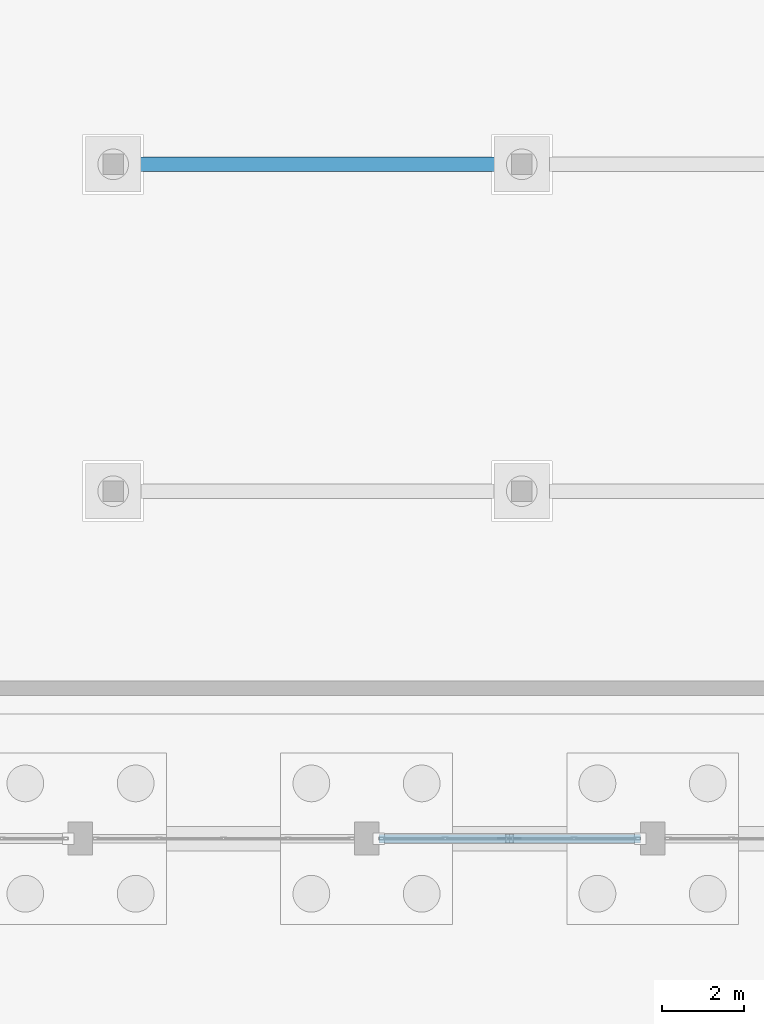
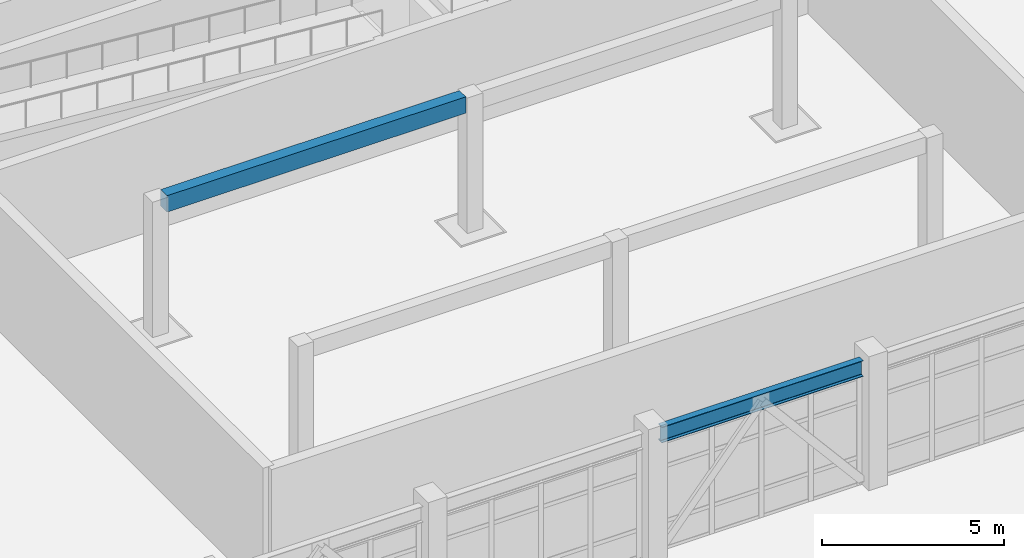
# One storey, part 25 of 154: 2 beams.
"""IFC4 building model written with IfcOpenShell, lengths in metres."""

import ifcopenshell
import ifcopenshell.guid

model = None  # the IFC model being written
_history = None  # IfcOwnerHistory: only IFC2X3 demands one
_inside = {}  # id of a spatial element -> (the spatial element, [elements in it])
_under = {}  # id of a project, library or spatial element -> (it, [spatial elements below it])
_declared = {}  # id of a project -> (the project, [libraries it declares])
_typed = {}  # id of a type object -> (the type object, [elements of that type])
_made_of = {}  # id of a material, layer set ... -> (it, [elements and type objects made of it])


def new_model(schema):
    """Start an empty IFC model of exactly this schema.

    Asked for "IFC4X3", IfcOpenShell would pick the latest addendum, in which some entities
    have other attributes; the version numbers below select the first issue.
    IFC2X3 requires an IfcOwnerHistory on every rooted entity: one is made here for all.
    """
    global model, _history
    if schema == "IFC4X3":
        model = ifcopenshell.file(schema_version=(4, 3, 0, 0))
    else:
        model = ifcopenshell.file(schema=schema)
    _inside.clear()
    _under.clear()
    _declared.clear()
    _typed.clear()
    _made_of.clear()
    _history = None
    if model.schema == "IFC2X3":
        org = make("IfcOrganization", Name="unknown")
        user = make(
            "IfcPersonAndOrganization",
            ThePerson=make("IfcPerson", FamilyName="unknown"),
            TheOrganization=org,
        )
        app = make(
            "IfcApplication",
            ApplicationDeveloper=org,
            Version="unknown",
            ApplicationFullName="unknown",
            ApplicationIdentifier="unknown",
        )
        _history = make(
            "IfcOwnerHistory",
            OwningUser=user,
            OwningApplication=app,
            ChangeAction="ADDED",
            CreationDate=0,
        )
    return model


def make(cls, **values):
    """One entity of the class cls with the attributes given. An attribute that is None is left unset."""
    return model.create_entity(
        cls, **{name: value for name, value in values.items() if value is not None}
    )


def rooted(cls, **values):
    """An entity with a GlobalId (a new one), such as an element, a storey or a relation."""
    return make(cls, GlobalId=ifcopenshell.guid.new(), OwnerHistory=_history, **values)


def si_unit(unit_type, name, prefix=None):
    """IfcSIUnit, for example si_unit("LENGTHUNIT", "METRE", prefix="MILLI")."""
    return make("IfcSIUnit", UnitType=unit_type, Prefix=prefix, Name=name)


def assignment(units):
    """IfcUnitAssignment: the units of a project."""
    return None if units is None else make("IfcUnitAssignment", Units=units)


def point(xyz):
    """IfcCartesianPoint."""
    return None if xyz is None else make("IfcCartesianPoint", Coordinates=xyz)


def direction(xyz):
    """IfcDirection."""
    return None if xyz is None else make("IfcDirection", DirectionRatios=xyz)


def frame(location, z_axis=None, x_axis=None):
    """IfcAxis2Placement3D, a coordinate frame: its origin and axes. An axis left out is left unset."""
    return make(
        "IfcAxis2Placement3D",
        Location=point(location),
        Axis=direction(z_axis),
        RefDirection=direction(x_axis),
    )


def frame_2d(location, x_axis=None):
    """IfcAxis2Placement2D, a coordinate frame in the plane: its origin and x axis."""
    return make(
        "IfcAxis2Placement2D", Location=point(location), RefDirection=direction(x_axis)
    )


def origin():
    """The frame at (0, 0, 0) with its axes left unset."""
    return frame((0.0, 0.0, 0.0))


def origin_2d():
    """The frame at (0, 0) in the plane with its x axis left unset."""
    return frame_2d((0.0, 0.0))


def place(relative_to, where):
    """IfcLocalPlacement: puts the frame where relative to a parent placement (None: the world)."""
    return make(
        "IfcLocalPlacement", PlacementRelTo=relative_to, RelativePlacement=where
    )


def context(
    kind, dimensions, precision=None, world=None, true_north=None, identifier=None
):
    """IfcGeometricRepresentationContext, for example the 3D "Model" context."""
    return make(
        "IfcGeometricRepresentationContext",
        ContextIdentifier=identifier,
        ContextType=kind,
        CoordinateSpaceDimension=dimensions,
        Precision=precision,
        WorldCoordinateSystem=world,
        TrueNorth=true_north,
    )


def subcontext(parent, identifier, kind, view, scale=None):
    """IfcGeometricRepresentationSubContext, for example "Body" below "Model"."""
    return make(
        "IfcGeometricRepresentationSubContext",
        ContextIdentifier=identifier,
        ContextType=kind,
        ParentContext=parent,
        TargetScale=scale,
        TargetView=view,
    )


def project(units=None, contexts=None):
    """IfcProject with its units and contexts."""
    return rooted(
        "IfcProject",
        Name="project",
        RepresentationContexts=contexts,
        UnitsInContext=assignment(units),
    )


def spatial(cls, under=None, at=None, **own):
    """A site, building, storey or space (cls), placed at a placement, below another one or the project."""
    s = rooted(cls, ObjectPlacement=at, **own)
    if under is not None:
        _under.setdefault(under.id(), (under, []))[1].append(s)
    return s


def profile(cls, at=None, kind="AREA", **sizes):
    """A parametric profile (cls). Its sizes go by their IFC names, for example OverallWidth=200.0."""
    return make(cls, ProfileType=kind, Position=at, **sizes)


def rectangle(**sizes):
    """IfcRectangleProfileDef."""
    return profile("IfcRectangleProfileDef", **sizes)


def i_section(**sizes):
    """IfcIShapeProfileDef."""
    return profile("IfcIShapeProfileDef", **sizes)


def extrude(swept, where, along, depth):
    """IfcExtrudedAreaSolid: the profile swept, set in the frame where, extruded along a direction by depth."""
    return make(
        "IfcExtrudedAreaSolid",
        SweptArea=swept,
        Position=where,
        ExtrudedDirection=direction(along),
        Depth=depth,
    )


def shape(context_of_items, identifier, shape_type, items):
    """IfcShapeRepresentation: the items that make up one representation, for example the "Body"."""
    return make(
        "IfcShapeRepresentation",
        ContextOfItems=context_of_items,
        RepresentationIdentifier=identifier,
        RepresentationType=shape_type,
        Items=items,
    )


def material(Name=None, Category=None):
    """IfcMaterial."""
    return make("IfcMaterial", Name=Name, Category=Category)


def material_profile(
    of_material, cross_section, Name=None, Category=None, Priority=None
):
    """IfcMaterialProfile: a cross section and its material."""
    return make(
        "IfcMaterialProfile",
        Name=Name,
        Material=of_material,
        Profile=cross_section,
        Priority=Priority,
        Category=Category,
    )


def profile_set(profiles, Name=None, composite=None):
    """IfcMaterialProfileSet."""
    return make(
        "IfcMaterialProfileSet",
        Name=Name,
        MaterialProfiles=profiles,
        CompositeProfile=composite,
    )


def made_of(thing, what):
    """Note that an element or type object is made of a material, layer set ...; save() writes the relation."""
    if what is not None:
        _made_of.setdefault(what.id(), (what, []))[1].append(thing)
    return thing


def type_object(cls, material=None, **own):
    """A type object (cls), such as IfcWallType, which elements share."""
    return made_of(rooted(cls, **own), material)


def element(
    cls,
    number,
    at=None,
    inside=None,
    cuts=None,
    type_object=None,
    material=None,
    context=None,
    identifier="Body",
    shape_type=None,
    held_by="IfcProductDefinitionShape",
    body=None,
    shapes=None,
    **own,
):
    """One element of the class cls, such as IfcWall. Its Tag is "e" and its number.

    at: its placement. inside: the storey or other place that contains it. cuts: it is an
    opening in that element (IfcRelVoidsElement). A single representation is given by context,
    identifier, shape_type and body (its items); several are given by shapes. held_by: the class
    of the entity that holds the representations. save() writes the other relations.
    """
    e = rooted(cls, Tag="e%d" % number, ObjectPlacement=at, **own)
    if body is not None:
        shapes = [shape(context, identifier, shape_type, body)]
    if shapes is not None:
        e.Representation = make(held_by, Representations=shapes)
    if inside is not None:
        _inside.setdefault(inside.id(), (inside, []))[1].append(e)
    if cuts is not None:
        rooted(
            "IfcRelVoidsElement", RelatingBuildingElement=cuts, RelatedOpeningElement=e
        )
    if type_object is not None:
        _typed.setdefault(type_object.id(), (type_object, []))[1].append(e)
    return made_of(e, material)


def aggregate(whole, parts):
    """IfcRelAggregates: a whole, such as a stair, and the parts it consists of."""
    return rooted("IfcRelAggregates", RelatingObject=whole, RelatedObjects=parts)


def save(model, path):
    """Write the relations noted so far, then the file.

    IfcRelAggregates (storeys below a building ...), IfcRelContainedInSpatialStructure (elements
    in a storey), IfcRelDefinesByType, IfcRelAssociatesMaterial and IfcRelDeclares: one each for
    every whole, place, type object, material and project.
    """
    for whole, parts in _under.values():
        aggregate(whole, parts)
    for where, things in _inside.values():
        rooted(
            "IfcRelContainedInSpatialStructure",
            RelatedElements=things,
            RelatingStructure=where,
        )
    for kind, things in _typed.values():
        rooted("IfcRelDefinesByType", RelatedObjects=things, RelatingType=kind)
    for what, things in _made_of.values():
        rooted("IfcRelAssociatesMaterial", RelatedObjects=things, RelatingMaterial=what)
    for by, libraries in _declared.values():
        rooted("IfcRelDeclares", RelatingContext=by, RelatedDefinitions=libraries)
    model.write(path)


model = new_model("IFC4")

# Units and contexts
model_context = context("Model", 3, precision=1e-05, world=origin(), true_north=direction((0.0, 1.0)))
body_context = subcontext(model_context, "Body", "Model", "MODEL_VIEW")
ifc_project = project(units=[si_unit("LENGTHUNIT", "METRE"), si_unit("AREAUNIT", "SQUARE_METRE"), si_unit("VOLUMEUNIT", "CUBIC_METRE"), si_unit("PLANEANGLEUNIT", "RADIAN"), si_unit("MASSUNIT", "GRAM", prefix="KILO")], contexts=[model_context])

# Site, building, storey
site_placement = place(None, origin())
site = spatial("IfcSite", under=ifc_project, at=site_placement, CompositionType="ELEMENT")
building_placement = place(site_placement, origin())
building = spatial("IfcBuilding", under=site, at=building_placement, Name="Kestramere Prow Commons", CompositionType="ELEMENT")
storey_placement = place(building_placement, origin())
storey = spatial("IfcBuildingStorey", under=building, at=storey_placement, Name="L00", CompositionType="ELEMENT", Elevation=0.0)

# Beams
ifc_material_1 = material(Name="Precast concrete C40/50", Category="concrete")
ifc_material_profile_1 = material_profile(ifc_material_1, rectangle(XDim=0.35009765625, YDim=0.550048828125, at=origin_2d()), Name="PC-BM 350x550")
ifc_profile_set_1 = profile_set([ifc_material_profile_1], Name="Precast concrete C40/50")
beam_type_1 = type_object("IfcBeamType", Name="BM-C1 PC-BM 350x550", PredefinedType="BEAM", material=ifc_profile_set_1)
beam_1_placement = place(storey_placement, frame((24.25, 60.0, 3.925048828125), z_axis=(1.0, 0.0, 0.0), x_axis=(0.0, 1.0, 0.0)))
element("IfcBeam", 1, at=beam_1_placement, inside=storey, type_object=beam_type_1, Name="Courtyard Support Girder 60-1", PredefinedType="BEAM", context=body_context, shape_type="SweptSolid", body=[
    extrude(rectangle(XDim=0.35009765625, YDim=0.550048828125, at=origin_2d()), origin(), (0.0, 0.0, 1.0), 9.5),
])
ifc_material_2 = material(Name="Steel S355JR", Category="steel")
ifc_material_profile_2 = material_profile(ifc_material_2, i_section(OverallWidth=0.209228515625, OverallDepth=0.533203125, WebThickness=0.010009765625, FlangeThickness=0.015625, FilletRadius=0.0126953125, at=origin_2d()), Name="UB 533x210x92")
ifc_profile_set_2 = profile_set([ifc_material_profile_2], Name="Steel S355JR")
beam_type_2 = type_object("IfcBeamType", Name="BM-HL-GAL UB 533x210x92 (EX)", PredefinedType="BEAM", material=ifc_profile_set_2)
beam_2_placement = place(storey_placement, frame((30.5, 43.5, 3.933349609375), z_axis=(1.0, 0.0, 0.0), x_axis=(0.0, 1.0, 0.0)))
element("IfcBeam", 2, at=beam_2_placement, inside=storey, type_object=beam_type_2, Name="Hall North Perimeter Tie Girder 5", PredefinedType="BEAM", context=body_context, shape_type="SweptSolid", body=[
    extrude(i_section(OverallWidth=0.209228515625, OverallDepth=0.533203125, WebThickness=0.010009765625, FlangeThickness=0.015625, FilletRadius=0.0126953125, at=origin_2d()), origin(), (0.0, 0.0, 1.0), 6.39990234375),
])

save(model, "model.ifc")
